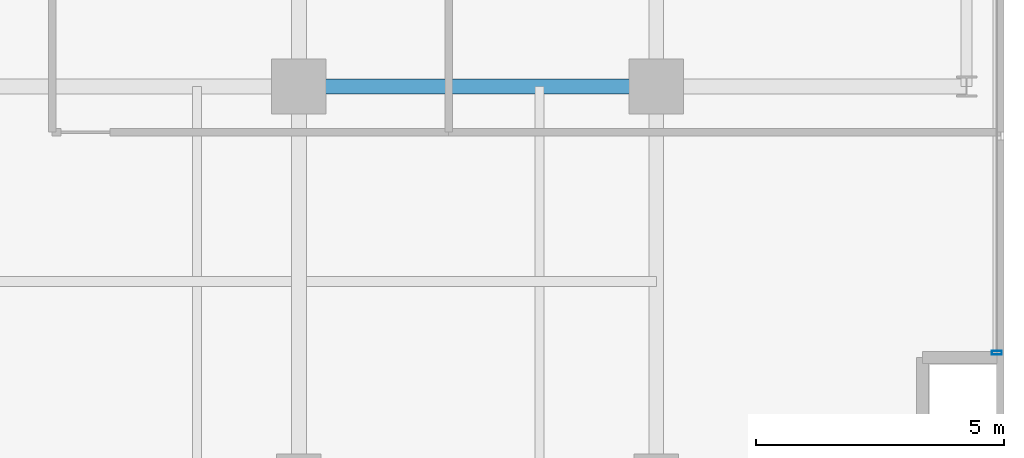
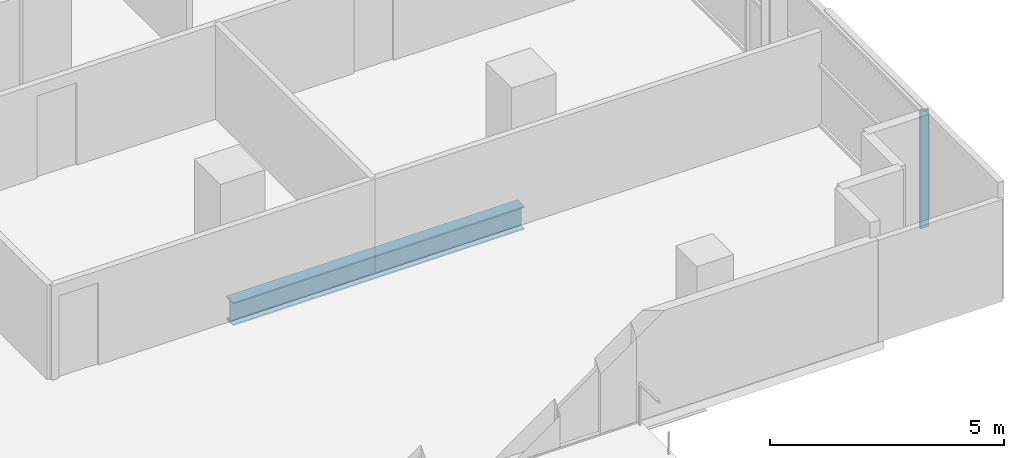
# One storey, part 11 of 30: 1 beam, 1 member, 1 element without a shape of its own.
"""IFC4 building model written with IfcOpenShell, lengths in metres."""

import ifcopenshell
import ifcopenshell.guid

model = None  # the IFC model being written
_history = None  # IfcOwnerHistory: only IFC2X3 demands one
_inside = {}  # id of a spatial element -> (the spatial element, [elements in it])
_under = {}  # id of a project, library or spatial element -> (it, [spatial elements below it])
_declared = {}  # id of a project -> (the project, [libraries it declares])
_typed = {}  # id of a type object -> (the type object, [elements of that type])
_made_of = {}  # id of a material, layer set ... -> (it, [elements and type objects made of it])


def new_model(schema):
    """Start an empty IFC model of exactly this schema.

    Asked for "IFC4X3", IfcOpenShell would pick the latest addendum, in which some entities
    have other attributes; the version numbers below select the first issue.
    IFC2X3 requires an IfcOwnerHistory on every rooted entity: one is made here for all.
    """
    global model, _history
    if schema == "IFC4X3":
        model = ifcopenshell.file(schema_version=(4, 3, 0, 0))
    else:
        model = ifcopenshell.file(schema=schema)
    _inside.clear()
    _under.clear()
    _declared.clear()
    _typed.clear()
    _made_of.clear()
    _history = None
    if model.schema == "IFC2X3":
        org = make("IfcOrganization", Name="unknown")
        user = make(
            "IfcPersonAndOrganization",
            ThePerson=make("IfcPerson", FamilyName="unknown"),
            TheOrganization=org,
        )
        app = make(
            "IfcApplication",
            ApplicationDeveloper=org,
            Version="unknown",
            ApplicationFullName="unknown",
            ApplicationIdentifier="unknown",
        )
        _history = make(
            "IfcOwnerHistory",
            OwningUser=user,
            OwningApplication=app,
            ChangeAction="ADDED",
            CreationDate=0,
        )
    return model


def make(cls, **values):
    """One entity of the class cls with the attributes given. An attribute that is None is left unset."""
    return model.create_entity(
        cls, **{name: value for name, value in values.items() if value is not None}
    )


def rooted(cls, **values):
    """An entity with a GlobalId (a new one), such as an element, a storey or a relation."""
    return make(cls, GlobalId=ifcopenshell.guid.new(), OwnerHistory=_history, **values)


def si_unit(unit_type, name, prefix=None):
    """IfcSIUnit, for example si_unit("LENGTHUNIT", "METRE", prefix="MILLI")."""
    return make("IfcSIUnit", UnitType=unit_type, Prefix=prefix, Name=name)


def assignment(units):
    """IfcUnitAssignment: the units of a project."""
    return None if units is None else make("IfcUnitAssignment", Units=units)


def point(xyz):
    """IfcCartesianPoint."""
    return None if xyz is None else make("IfcCartesianPoint", Coordinates=xyz)


def direction(xyz):
    """IfcDirection."""
    return None if xyz is None else make("IfcDirection", DirectionRatios=xyz)


def frame(location, z_axis=None, x_axis=None):
    """IfcAxis2Placement3D, a coordinate frame: its origin and axes. An axis left out is left unset."""
    return make(
        "IfcAxis2Placement3D",
        Location=point(location),
        Axis=direction(z_axis),
        RefDirection=direction(x_axis),
    )


def frame_2d(location, x_axis=None):
    """IfcAxis2Placement2D, a coordinate frame in the plane: its origin and x axis."""
    return make(
        "IfcAxis2Placement2D", Location=point(location), RefDirection=direction(x_axis)
    )


def origin():
    """The frame at (0, 0, 0) with its axes left unset."""
    return frame((0.0, 0.0, 0.0))


def origin_2d():
    """The frame at (0, 0) in the plane with its x axis left unset."""
    return frame_2d((0.0, 0.0))


def place(relative_to, where):
    """IfcLocalPlacement: puts the frame where relative to a parent placement (None: the world)."""
    return make(
        "IfcLocalPlacement", PlacementRelTo=relative_to, RelativePlacement=where
    )


def context(
    kind, dimensions, precision=None, world=None, true_north=None, identifier=None
):
    """IfcGeometricRepresentationContext, for example the 3D "Model" context."""
    return make(
        "IfcGeometricRepresentationContext",
        ContextIdentifier=identifier,
        ContextType=kind,
        CoordinateSpaceDimension=dimensions,
        Precision=precision,
        WorldCoordinateSystem=world,
        TrueNorth=true_north,
    )


def subcontext(parent, identifier, kind, view, scale=None):
    """IfcGeometricRepresentationSubContext, for example "Body" below "Model"."""
    return make(
        "IfcGeometricRepresentationSubContext",
        ContextIdentifier=identifier,
        ContextType=kind,
        ParentContext=parent,
        TargetScale=scale,
        TargetView=view,
    )


def project(units=None, contexts=None):
    """IfcProject with its units and contexts."""
    return rooted(
        "IfcProject",
        Name="project",
        RepresentationContexts=contexts,
        UnitsInContext=assignment(units),
    )


def spatial(cls, under=None, at=None, **own):
    """A site, building, storey or space (cls), placed at a placement, below another one or the project."""
    s = rooted(cls, ObjectPlacement=at, **own)
    if under is not None:
        _under.setdefault(under.id(), (under, []))[1].append(s)
    return s


def profile(cls, at=None, kind="AREA", **sizes):
    """A parametric profile (cls). Its sizes go by their IFC names, for example OverallWidth=200.0."""
    return make(cls, ProfileType=kind, Position=at, **sizes)


def hollow_rectangle(**sizes):
    """IfcRectangleHollowProfileDef."""
    return profile("IfcRectangleHollowProfileDef", **sizes)


def i_section(**sizes):
    """IfcIShapeProfileDef."""
    return profile("IfcIShapeProfileDef", **sizes)


def extrude(swept, where, along, depth):
    """IfcExtrudedAreaSolid: the profile swept, set in the frame where, extruded along a direction by depth."""
    return make(
        "IfcExtrudedAreaSolid",
        SweptArea=swept,
        Position=where,
        ExtrudedDirection=direction(along),
        Depth=depth,
    )


def shape(context_of_items, identifier, shape_type, items):
    """IfcShapeRepresentation: the items that make up one representation, for example the "Body"."""
    return make(
        "IfcShapeRepresentation",
        ContextOfItems=context_of_items,
        RepresentationIdentifier=identifier,
        RepresentationType=shape_type,
        Items=items,
    )


def source(mapping_origin, context_of_items, identifier, shape_type, items):
    """IfcRepresentationMap: a shape defined once, which mapped items show again and again."""
    return make(
        "IfcRepresentationMap",
        MappingOrigin=mapping_origin,
        MappedRepresentation=shape(context_of_items, identifier, shape_type, items),
    )


def transform(
    local_origin,
    x_axis=None,
    y_axis=None,
    z_axis=None,
    scale=None,
    scale2=None,
    scale3=None,
    uniform=True,
):
    """IfcCartesianTransformationOperator3D, or its non-uniform kind. x_axis, y_axis, z_axis: its Axis1, 2, 3."""
    if uniform:
        return make(
            "IfcCartesianTransformationOperator3D",
            Axis1=direction(x_axis),
            Axis2=direction(y_axis),
            LocalOrigin=point(local_origin),
            Scale=scale,
            Axis3=direction(z_axis),
        )
    return make(
        "IfcCartesianTransformationOperator3DnonUniform",
        Axis1=direction(x_axis),
        Axis2=direction(y_axis),
        LocalOrigin=point(local_origin),
        Scale=scale,
        Axis3=direction(z_axis),
        Scale2=scale2,
        Scale3=scale3,
    )


def mapped(mapping_source, mapping_target):
    """IfcMappedItem: shows the shape of a source again, moved by a transform."""
    return make(
        "IfcMappedItem", MappingSource=mapping_source, MappingTarget=mapping_target
    )


def material(Name=None, Category=None):
    """IfcMaterial."""
    return make("IfcMaterial", Name=Name, Category=Category)


def layer(
    of_material, thickness, ventilated=None, Name=None, Category=None, Priority=None
):
    """IfcMaterialLayer: one layer of a wall or slab, of a material (None: an air gap)."""
    return make(
        "IfcMaterialLayer",
        Material=of_material,
        LayerThickness=thickness,
        IsVentilated=ventilated,
        Name=Name,
        Category=Category,
        Priority=Priority,
    )


def layer_set(layers, Name=None):
    """IfcMaterialLayerSet."""
    return make("IfcMaterialLayerSet", MaterialLayers=layers, LayerSetName=Name)


def material_profile(
    of_material, cross_section, Name=None, Category=None, Priority=None
):
    """IfcMaterialProfile: a cross section and its material."""
    return make(
        "IfcMaterialProfile",
        Name=Name,
        Material=of_material,
        Profile=cross_section,
        Priority=Priority,
        Category=Category,
    )


def profile_set(profiles, Name=None, composite=None):
    """IfcMaterialProfileSet."""
    return make(
        "IfcMaterialProfileSet",
        Name=Name,
        MaterialProfiles=profiles,
        CompositeProfile=composite,
    )


def made_of(thing, what):
    """Note that an element or type object is made of a material, layer set ...; save() writes the relation."""
    if what is not None:
        _made_of.setdefault(what.id(), (what, []))[1].append(thing)
    return thing


def type_object(cls, material=None, **own):
    """A type object (cls), such as IfcWallType, which elements share."""
    return made_of(rooted(cls, **own), material)


def element(
    cls,
    number,
    at=None,
    inside=None,
    cuts=None,
    type_object=None,
    material=None,
    context=None,
    identifier="Body",
    shape_type=None,
    held_by="IfcProductDefinitionShape",
    body=None,
    shapes=None,
    **own,
):
    """One element of the class cls, such as IfcWall. Its Tag is "e" and its number.

    at: its placement. inside: the storey or other place that contains it. cuts: it is an
    opening in that element (IfcRelVoidsElement). A single representation is given by context,
    identifier, shape_type and body (its items); several are given by shapes. held_by: the class
    of the entity that holds the representations. save() writes the other relations.
    """
    e = rooted(cls, Tag="e%d" % number, ObjectPlacement=at, **own)
    if body is not None:
        shapes = [shape(context, identifier, shape_type, body)]
    if shapes is not None:
        e.Representation = make(held_by, Representations=shapes)
    if inside is not None:
        _inside.setdefault(inside.id(), (inside, []))[1].append(e)
    if cuts is not None:
        rooted(
            "IfcRelVoidsElement", RelatingBuildingElement=cuts, RelatedOpeningElement=e
        )
    if type_object is not None:
        _typed.setdefault(type_object.id(), (type_object, []))[1].append(e)
    return made_of(e, material)


def aggregate(whole, parts):
    """IfcRelAggregates: a whole, such as a stair, and the parts it consists of."""
    return rooted("IfcRelAggregates", RelatingObject=whole, RelatedObjects=parts)


def save(model, path):
    """Write the relations noted so far, then the file.

    IfcRelAggregates (storeys below a building ...), IfcRelContainedInSpatialStructure (elements
    in a storey), IfcRelDefinesByType, IfcRelAssociatesMaterial and IfcRelDeclares: one each for
    every whole, place, type object, material and project.
    """
    for whole, parts in _under.values():
        aggregate(whole, parts)
    for where, things in _inside.values():
        rooted(
            "IfcRelContainedInSpatialStructure",
            RelatedElements=things,
            RelatingStructure=where,
        )
    for kind, things in _typed.values():
        rooted("IfcRelDefinesByType", RelatedObjects=things, RelatingType=kind)
    for what, things in _made_of.values():
        rooted("IfcRelAssociatesMaterial", RelatedObjects=things, RelatingMaterial=what)
    for by, libraries in _declared.values():
        rooted("IfcRelDeclares", RelatingContext=by, RelatedDefinitions=libraries)
    model.write(path)


model = new_model("IFC4")

# Units and contexts
model_context = context("Model", 3, precision=1e-05, world=origin(), true_north=direction((0.0, 1.0)))
body_context = subcontext(model_context, "Body", "Model", "MODEL_VIEW")
ifc_project = project(units=[si_unit("LENGTHUNIT", "METRE"), si_unit("AREAUNIT", "SQUARE_METRE"), si_unit("VOLUMEUNIT", "CUBIC_METRE"), si_unit("PLANEANGLEUNIT", "RADIAN"), si_unit("MASSUNIT", "GRAM", prefix="KILO")], contexts=[model_context])

# Site, building, storey
site_placement = place(None, origin())
site = spatial("IfcSite", under=ifc_project, at=site_placement, CompositionType="ELEMENT")
building_placement = place(site_placement, origin())
building = spatial("IfcBuilding", under=site, at=building_placement, Name="Zarnakvel Exchange Tower", CompositionType="ELEMENT")
storey_placement = place(building_placement, frame((0.0, 0.0, 34.0)))
storey = spatial("IfcBuildingStorey", under=building, at=storey_placement, Name="L08", CompositionType="ELEMENT", Elevation=34.0)

# Beam
ifc_material_1 = material(Name="Steel S355", Category="steel")
ifc_material_profile_1 = material_profile(ifc_material_1, i_section(OverallWidth=0.300048828125, OverallDepth=0.60009765625, WebThickness=0.015380859375, FlangeThickness=0.030029296875, FilletRadius=0.027099609375, at=origin_2d()))
ifc_profile_set_1 = profile_set([ifc_material_profile_1], Name="Steel S355")
beam_type = type_object("IfcBeamType", Name="G-04", PredefinedType="BEAM", material=ifc_profile_set_1)
beam_placement = place(storey_placement, frame((14.39990234375, -9.60009765625, -0.52490234375), z_axis=(1.0, 0.0, 0.0), x_axis=(0.0, 1.0, 0.0)))
element("IfcBeam", 1, at=beam_placement, inside=storey, type_object=beam_type, Name="L08 Tower E-W Frame Beam", PredefinedType="BEAM", context=body_context, shape_type="SweptSolid", body=[
    extrude(i_section(OverallWidth=0.300048828125, OverallDepth=0.60009765625, WebThickness=0.015380859375, FlangeThickness=0.030029296875, FilletRadius=0.027099609375, at=origin_2d()), origin(), (0.0, 0.0, 1.0), 7.2001953125),
])

# Curtain wall, member
ifc_material_2 = material(Name="Architectural Bronze Anodised Aluminium", Category="aluminium")
ifc_layer = layer(ifc_material_2, 0.199951171875)
ifc_layer_set = layer_set([ifc_layer], Name="Architectural Bronze Anodised Aluminium")
curtain_wall_type = type_object("IfcCurtainWallType", Name="CW-04", PredefinedType="NOTDEFINED", material=ifc_layer_set)
curtain_wall_placement = place(storey_placement, origin())
curtain_wall = element("IfcCurtainWall", 2, at=curtain_wall_placement, inside=storey, type_object=curtain_wall_type, Name="L08 Curtain Wall CW-L08-E1 (CW-04)", PredefinedType="NOTDEFINED")
ifc_material_profile_2 = material_profile(ifc_material_2, hollow_rectangle(XDim=0.199951171875, YDim=0.074951171875, WallThickness=0.0048828125, at=origin_2d()))
ifc_profile_set_2 = profile_set([ifc_material_profile_2], Name="Architectural Bronze Anodised Aluminium")
member_type = type_object("IfcMemberType", Name="CWM-04", PredefinedType="MULLION", material=ifc_profile_set_2)
shared_shape = source(origin(), body_context, "Body", "SweptSolid", [
    extrude(hollow_rectangle(XDim=0.199951171875, YDim=0.074951171875, WallThickness=0.0048828125, at=origin_2d()), origin(), (0.0, 0.0, 1.0), 3.054931640625),
])
member_placement = place(storey_placement, frame((28.4599609375, -14.96240234375, 0.0), z_axis=(0.0, 0.0, 1.0), x_axis=(-1.0, 0.0, 0.0)))
member = element("IfcMember", 3, at=member_placement, type_object=member_type, Name="CW-04 mullion 1", PredefinedType="MULLION", context=body_context, shape_type="MappedRepresentation", body=[
    mapped(shared_shape, transform((0.0, 0.0, 0.0), x_axis=(1.0, 0.0, 0.0), y_axis=(0.0, 1.0, 0.0), z_axis=(0.0, 0.0, 1.0), scale=1.0)),
])
aggregate(curtain_wall, [member])

save(model, "model.ifc")
